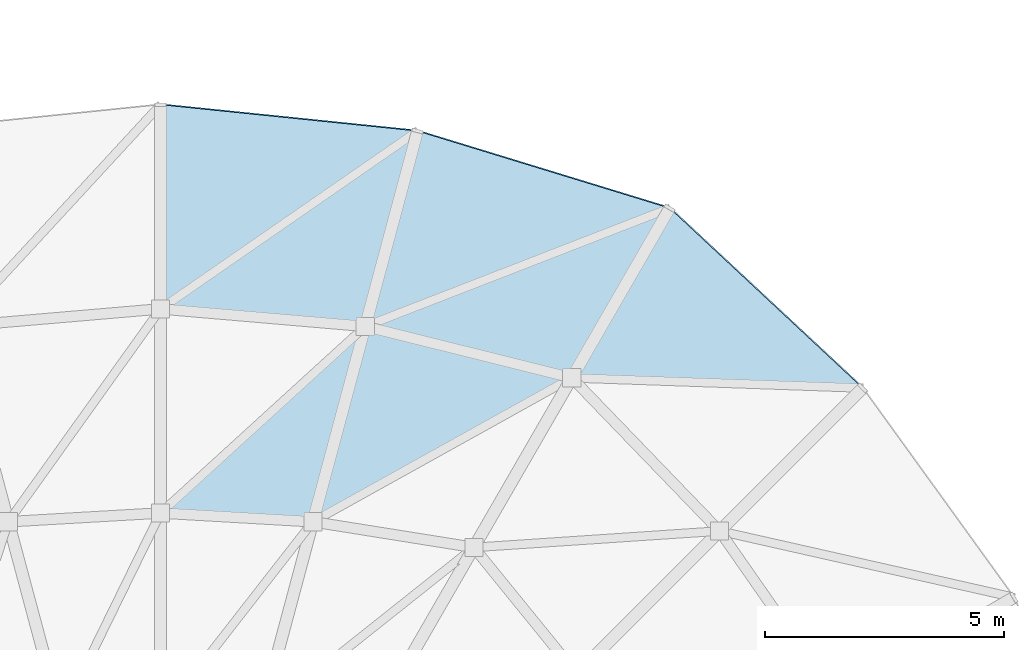
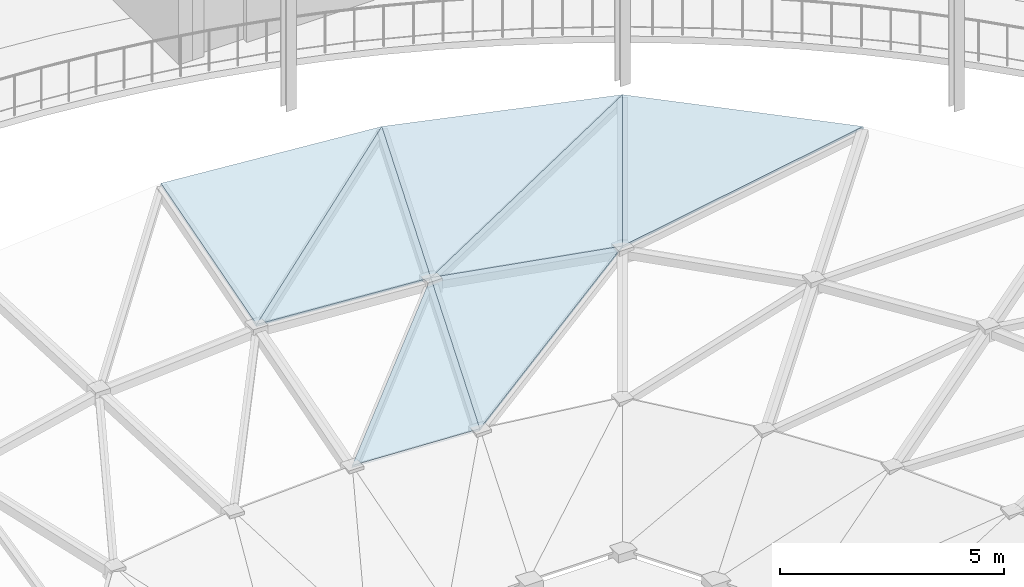
# One storey, part 96 of 116: 7 roofs.
"""IFC4 building model written with IfcOpenShell, lengths in metres."""

from ifc_helpers import new_model, si_unit, direction, frame, origin, place, context, subcontext, project, spatial, polyline, outline, extrude, material, layer, layer_set, type_object, element, save


model = new_model("IFC4")

# Units and contexts
model_context = context("Model", 3, precision=1e-05, world=origin(), true_north=direction((0.0, 1.0)))
body_context = subcontext(model_context, "Body", "Model", "MODEL_VIEW")
ifc_project = project(units=[si_unit("LENGTHUNIT", "METRE"), si_unit("AREAUNIT", "SQUARE_METRE"), si_unit("VOLUMEUNIT", "CUBIC_METRE"), si_unit("PLANEANGLEUNIT", "RADIAN"), si_unit("MASSUNIT", "GRAM", prefix="KILO")], contexts=[model_context])

# Site, building, storey
site_placement = place(None, origin())
site = spatial("IfcSite", under=ifc_project, at=site_placement, CompositionType="ELEMENT")
building_placement = place(site_placement, origin())
building = spatial("IfcBuilding", under=site, at=building_placement, Name="Almandine Court Research Institute", CompositionType="ELEMENT")
storey_placement = place(building_placement, frame((0.0, 0.0, 14.35009765625)))
storey = spatial("IfcBuildingStorey", under=building, at=storey_placement, Name="L03", CompositionType="ELEMENT", Elevation=14.35009765625)

# Roofs
ifc_material = material(Name="Insulated Laminated Low-E Glass Roof Panel", Category="glass")
ifc_layer = layer(ifc_material, 0.080078125)
ifc_layer_set = layer_set([ifc_layer], Name="Insulated Laminated Low-E Glass Roof Panel")
roof_type = type_object("IfcRoofType", Name="Roof-GS-Facet", PredefinedType="PAVILION_ROOF", material=ifc_layer_set)
roof_1_placement = place(storey_placement, frame((101.669921875, 70.669921875, 4.930908203125), z_axis=(-0.205004771226, -0.219894353129, 0.953739753411), x_axis=(-0.73143670185, 0.681909342352, 0.0)))
element("IfcRoof", 1, at=roof_1_placement, inside=storey, type_object=roof_type, Name="Atrium Conical Gridshell Roof Facet R4-S03-1", PredefinedType="PAVILION_ROOF", context=body_context, shape_type="SweptSolid", body=[
    extrude(outline(polyline([(0.0, 0.0), (5.511079563249041, -4.440892098500626e-16), (4.590209424223145, 4.181437554990824), (0.0, 0.0)])), origin(), (0.0, 0.0, -1.0), 0.080078125),
])
roof_2_placement = place(storey_placement, frame((97.638916015625, 74.427978515625, 4.930908203125), z_axis=(-0.08346235512, -0.272785262129, 0.958447826459), x_axis=(-0.956242466302, 0.292575367453, 0.0)))
element("IfcRoof", 2, at=roof_2_placement, inside=storey, type_object=roof_type, Name="Atrium Conical Gridshell Roof Facet R4-S04-1", PredefinedType="PAVILION_ROOF", context=body_context, shape_type="SweptSolid", body=[
    extrude(outline(polyline([(0.0, 0.0), (5.509898392714906, 0.0), (5.361953712578132, 4.406665319327928), (0.0, 0.0)])), origin(), (0.0, 0.0, -1.0), 0.080078125),
])
roof_3_placement = place(storey_placement, frame((97.638916015625, 74.427978515625, 4.930908203125), z_axis=(-0.073540314396, -0.295347122297, 0.952555457446), x_axis=(-0.916810393501, -0.355882697734, -0.18112484043)))
element("IfcRoof", 3, at=roof_3_placement, inside=storey, type_object=roof_type, Name="Atrium Conical Gridshell Roof Facet R4-S04-2", PredefinedType="PAVILION_ROOF", context=body_context, shape_type="SweptSolid", body=[
    extrude(outline(polyline([(0.0, 0.0), (6.940406821822328, -2.7755575615628914e-16), (3.3649657402400592, 2.647532323928809), (0.0, 0.0)])), origin(), (0.0, 0.0, -1.0), 0.080078125),
])
roof_4_placement = place(storey_placement, frame((92.3701171875, 76.0400390625, 4.930908203125), z_axis=(-0.028939141788, -0.28253234033, 0.958821152635), x_axis=(-0.994795200438, 0.101894598408, 0.0)))
element("IfcRoof", 4, at=roof_4_placement, inside=storey, type_object=roof_type, Name="Atrium Conical Gridshell Roof Facet R4-S05-1", PredefinedType="PAVILION_ROOF", context=body_context, shape_type="SweptSolid", body=[
    extrude(outline(polyline([(0.0, 0.0), (5.398213808363336, 0.0), (4.963519908806307, 4.426173749974611), (0.0, 0.0)])), origin(), (0.0, 0.0, -1.0), 0.080078125),
])
roof_5_placement = place(storey_placement, frame((92.3701171875, 76.0400390625, 4.930908203125), z_axis=(-0.024664972767, -0.288180342254, 0.957258444443), x_axis=(-0.807490369933, -0.558774819092, -0.189023818639)))
element("IfcRoof", 5, at=roof_5_placement, inside=storey, type_object=roof_type, Name="Atrium Conical Gridshell Roof Facet R4-S05-2", PredefinedType="PAVILION_ROOF", context=body_context, shape_type="SweptSolid", body=[
    extrude(outline(polyline([(0.0, 0.0), (6.650379233553593, 2.220446049250313e-16), (3.402141224472763, 2.804642928019759), (0.0, 0.0)])), origin(), (0.0, 0.0, -1.0), 0.080078125),
])
roof_6_placement = place(storey_placement, frame((95.593017578125, 70.883056640625, 3.673828125), z_axis=(-0.06888595934, -0.276654648877, 0.958497224754), x_axis=(-0.970371254748, 0.241618765744, 0.0)))
element("IfcRoof", 6, at=roof_6_placement, inside=storey, type_object=roof_type, Name="Atrium Conical Gridshell Roof Facet R5-S04-1", PredefinedType="PAVILION_ROOF", context=body_context, shape_type="SweptSolid", body=[
    extrude(outline(polyline([(0.0, 0.0), (4.448955645330045, 0.0), (4.524240759900822, 4.408375100988342), (0.0, 0.0)])), origin(), (0.0, 0.0, -1.0), 0.080078125),
])
roof_7_placement = place(storey_placement, frame((91.27587890625, 71.9580078125, 3.673828125), z_axis=(-0.016695988651, -0.290131760121, 0.956841055626), x_axis=(-0.722091439056, -0.658433269483, -0.21224887109)))
element("IfcRoof", 7, at=roof_7_placement, inside=storey, type_object=roof_type, Name="Atrium Conical Gridshell Roof Facet R5-S05-2", PredefinedType="PAVILION_ROOF", context=body_context, shape_type="SweptSolid", body=[
    extrude(outline(polyline([(0.0, 0.0), (5.921520011145882, 2.7755575615628914e-16), (3.7444709942732226, 2.3277405036937444), (0.0, 0.0)])), origin(), (0.0, 0.0, -1.0), 0.080078125),
])

save(model, "model.ifc")
